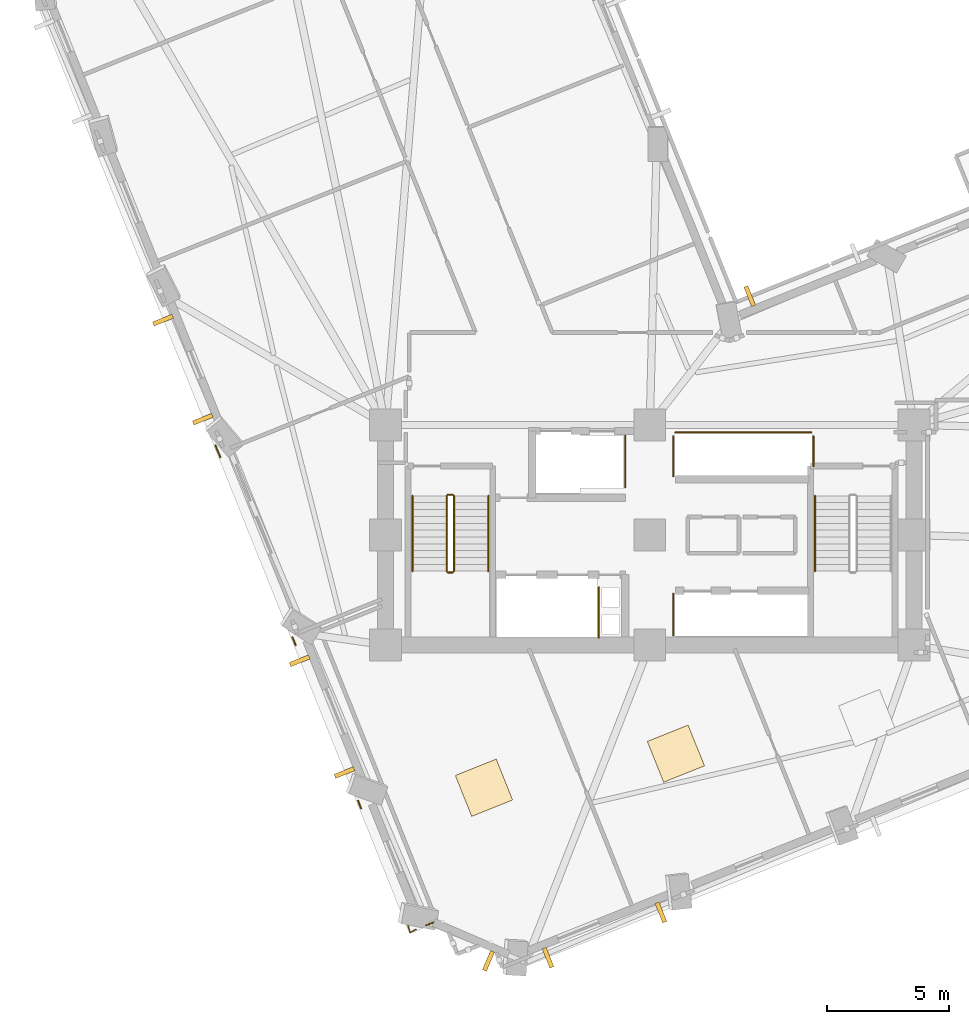
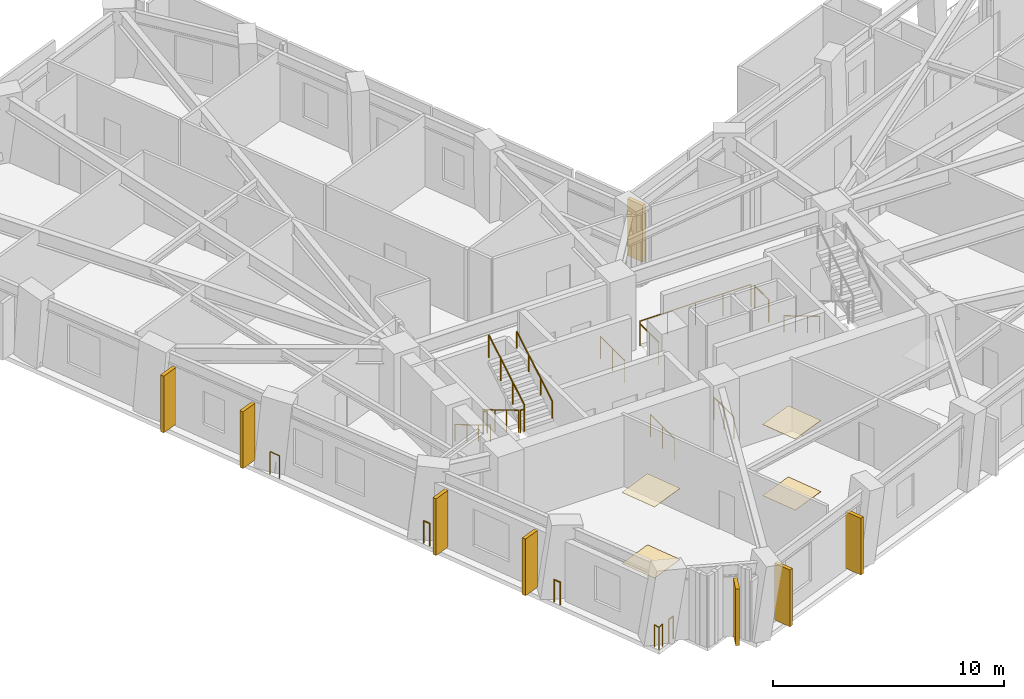
# One storey, part 13 of 16: 18 railings, 8 shading devices, 4 coverings.
"""IFC4 building model written with IfcOpenShell, lengths in metres."""

from ifc_helpers import new_model, si_unit, direction, frame, origin, origin_2d, place, context, subcontext, project, spatial, rectangle, circle, extrude, material, layer, layer_set, type_object, element, save


model = new_model("IFC4")

# Units and contexts
model_context = context("Model", 3, precision=1e-05, world=origin(), true_north=direction((0.0, 1.0)))
body_context = subcontext(model_context, "Body", "Model", "MODEL_VIEW")
ifc_project = project(units=[si_unit("LENGTHUNIT", "METRE"), si_unit("AREAUNIT", "SQUARE_METRE"), si_unit("VOLUMEUNIT", "CUBIC_METRE"), si_unit("PLANEANGLEUNIT", "RADIAN"), si_unit("MASSUNIT", "GRAM", prefix="KILO")], contexts=[model_context])

# Site, building, storey
site_placement = place(None, origin())
site = spatial("IfcSite", under=ifc_project, at=site_placement, CompositionType="ELEMENT")
building_placement = place(site_placement, origin())
building = spatial("IfcBuilding", under=site, at=building_placement, Name="Gaonmaruhae Medical Tower", CompositionType="ELEMENT")
storey_placement = place(building_placement, frame((0.0, 0.0, 116.39990234375)))
storey = spatial("IfcBuildingStorey", under=building, at=storey_placement, Name="L27", CompositionType="ELEMENT", Elevation=116.39990234375)

# Coverings
ifc_material_1 = material(Name="Acoustic mineral ceiling tile", Category="finish")
ifc_layer_1 = layer(ifc_material_1, 0.02490234375)
ifc_layer_set_1 = layer_set([ifc_layer_1], Name="Acoustic mineral ceiling tile")
covering_type_1 = type_object("IfcCoveringType", Name="CLG-01 Antimicrobial Acoustic Mineral Ceiling", PredefinedType="CEILING", material=ifc_layer_set_1)
for number, where, z_axis, x_axis, name in (
    (1, (18.022705078125, 1.97021484375, 3.755126953125), (0.0, 0.0, 1.0), (0.928161393808, 0.372177950778, 0.0), "L27 Clinical Room Acoustic Ceiling 2"),
    (2, (25.867431640625, 3.364013671875, 3.755126953125), (0.0, 0.0, 1.0), (0.928161393808, 0.372177950778, 0.0), "L27 Clinical Room Acoustic Ceiling 3"),
):
    element("IfcCovering", number, at=place(storey_placement, frame(where, z_axis=z_axis, x_axis=x_axis)), inside=storey, type_object=covering_type_1, Name=name, PredefinedType="CEILING", context=body_context, shape_type="SweptSolid", body=[
        extrude(rectangle(XDim=1.800048828125, YDim=1.800048828125, at=origin_2d()), origin(), (0.0, 0.0, 1.0), 0.02490234375),
    ])
ifc_material_2 = material(Name="Seamless clinical vinyl flooring", Category="finish")
ifc_layer_2 = layer(ifc_material_2, 0.014892578125)
ifc_layer_set_2 = layer_set([ifc_layer_2], Name="Seamless clinical vinyl flooring")
covering_type_2 = type_object("IfcCoveringType", Name="FLR-01 Seamless Clinical Antistatic Vinyl Flooring", PredefinedType="FLOORING", material=ifc_layer_set_2)
for number, where, z_axis, x_axis, name in (
    (3, (18.022705078125, 1.97021484375, 0.0), (0.0, 0.0, 1.0), (0.928161393808, 0.372177950778, 0.0), "L27 Clinical Room Vinyl Flooring 2"),
    (4, (25.867431640625, 3.364013671875, 0.0), (0.0, 0.0, 1.0), (0.928161393808, 0.372177950778, 0.0), "L27 Clinical Room Vinyl Flooring 3"),
):
    element("IfcCovering", number, at=place(storey_placement, frame(where, z_axis=z_axis, x_axis=x_axis)), inside=storey, type_object=covering_type_2, Name=name, PredefinedType="FLOORING", context=body_context, shape_type="SweptSolid", body=[
        extrude(rectangle(XDim=1.800048828125, YDim=1.800048828125, at=origin_2d()), origin(), (0.0, 0.0, 1.0), 0.014892578125),
    ])

# Railings
ifc_material_3 = material(Name="Stainless steel 316L and laminated safety glass", Category="steel")
ifc_layer_3 = layer(ifc_material_3, 0.080078125)
ifc_layer_set_3 = layer_set([ifc_layer_3], Name="Stainless steel 316L and laminated safety glass")
railing_type_1 = type_object("IfcRailingType", Name="GD-120 Outdoor Terrace Safety Glass & Steel Balustrade", PredefinedType="BALUSTRADE", material=ifc_layer_set_3)
railing_1_placement = place(storey_placement, frame((15.956787109375, -3.53173828125, 0.0)))
element("IfcRailing", 5, at=railing_1_placement, inside=storey, type_object=railing_type_1, Name="L27 Perimeter Slab Edge Safety Balustrade 04", PredefinedType="BALUSTRADE", context=body_context, shape_type="SweptSolid", body=[
    extrude(circle(Radius=0.02392578125, at=origin_2d()), frame((0.0, 0.0, 1.17578125), z_axis=(-0.928063519164, -0.372421944032, 0.0), x_axis=(0.372421944032, -0.928063519164, 0.0)), (0.0, 0.0, 1.0), 0.326416015625),
    extrude(circle(Radius=0.02099609375, at=origin_2d()), origin(), (0.0, 0.0, 1.0), 1.15185546875),
    extrude(circle(Radius=0.02099609375, at=origin_2d()), frame((-0.302978515625, -0.12158203125, 0.0)), (0.0, 0.0, 1.0), 1.15185546875),
])
for number, where, name in (
    (6, (13.00048828125, 1.12744140625, 0.0), "L27 Perimeter Slab Edge Safety Balustrade 05"),
    (7, (10.323486328125, 7.803955078125, 0.0), "L27 Perimeter Slab Edge Safety Balustrade 06"),
):
    element("IfcRailing", number, at=place(storey_placement, frame(where)), inside=storey, type_object=railing_type_1, Name=name, PredefinedType="BALUSTRADE", context=body_context, shape_type="SweptSolid", body=[
        extrude(circle(Radius=0.02392578125, at=origin_2d()), frame((0.0, 0.0, 1.17578125), z_axis=(-0.372133734858, 0.928179122465, 0.0), x_axis=(-0.928179122465, -0.372133734858, 0.0)), (0.0, 0.0, 1.0), 0.33984375),
        extrude(circle(Radius=0.02099609375, at=origin_2d()), origin(), (0.0, 0.0, 1.0), 1.15185546875),
        extrude(circle(Radius=0.02099609375, at=origin_2d()), frame((-0.12646484375, 0.3154296875, 0.0)), (0.0, 0.0, 1.0), 1.15185546875),
    ])
railing_2_placement = place(storey_placement, frame((7.24462890625, 15.48193359375, 0.0)))
element("IfcRailing", 8, at=railing_2_placement, inside=storey, type_object=railing_type_1, Name="L27 Perimeter Slab Edge Safety Balustrade 07", PredefinedType="BALUSTRADE", context=body_context, shape_type="SweptSolid", body=[
    extrude(circle(Radius=0.02392578125, at=origin_2d()), frame((0.0, 0.0, 1.17578125), z_axis=(-0.372038510883, 0.928217294829, 0.0), x_axis=(-0.928217294829, -0.372038510883, 0.0)), (0.0, 0.0, 1.0), 0.519775390625),
    extrude(circle(Radius=0.02099609375, at=origin_2d()), origin(), (0.0, 0.0, 1.0), 1.15185546875),
    extrude(circle(Radius=0.02099609375, at=origin_2d()), frame((-0.193359375, 0.482421875, 0.0)), (0.0, 0.0, 1.0), 1.15185546875),
])
railing_3_placement = place(storey_placement, frame((15.251708984375, -3.814453125, 0.0)))
element("IfcRailing", 9, at=railing_3_placement, inside=storey, type_object=railing_type_1, Name="L27 Perimeter Corner Safety Balustrade 10", PredefinedType="BALUSTRADE", context=body_context, shape_type="SweptSolid", body=[
    extrude(circle(Radius=0.02392578125, at=origin_2d()), frame((0.0, 0.0, 1.17578125), z_axis=(-0.875874895561, -0.48253825478, 0.0), x_axis=(0.48253825478, -0.875874895561, 0.0)), (0.0, 0.0, 1.0), 0.287353515625),
    extrude(circle(Radius=0.02392578125, at=origin_2d()), frame((-0.251708984375, -0.138671875, 1.17578125), z_axis=(-0.255915929237, 0.966699041669, 0.0), x_axis=(-0.966699041669, -0.255915929237, 0.0)), (0.0, 0.0, 1.0), 0.287109375),
    extrude(circle(Radius=0.02099609375, at=origin_2d()), origin(), (0.0, 0.0, 1.0), 1.15185546875),
    extrude(circle(Radius=0.02099609375, at=origin_2d()), frame((-0.251708984375, -0.138671875, 0.0)), (0.0, 0.0, 1.0), 1.15185546875),
    extrude(circle(Radius=0.02099609375, at=origin_2d()), frame((-0.3251953125, 0.138916015625, 0.0)), (0.0, 0.0, 1.0), 1.15185546875),
])
ifc_material_4 = material(Name="Stainless steel 304 handrail", Category="steel")
railing_type_2 = type_object("IfcRailingType", Name="HR-092 Continuous Stainless Steel Stair Handrail", PredefinedType="HANDRAIL", material=ifc_material_4)
railing_4_placement = place(storey_placement, frame((15.10009765625, 13.89990234375, 0.166748046875)))
element("IfcRailing", 10, at=railing_4_placement, inside=storey, type_object=railing_type_2, Name="L27 ST-01 stair handrail 1", PredefinedType="HANDRAIL", context=body_context, shape_type="SweptSolid", body=[
    extrude(circle(Radius=0.02392578125, at=origin_2d()), frame((0.0, 0.0, 0.8759765625), z_axis=(0.0, -0.859290745958, 0.51148745235), x_axis=(1.0, 0.0, 0.0)), (0.0, 0.0, 1.0), 3.584228515625),
    extrude(circle(Radius=0.02099609375, at=origin_2d()), origin(), (0.0, 0.0, 1.0), 0.851806640625),
    extrude(circle(Radius=0.02099609375, at=origin_2d()), frame((0.0, -1.026611328125, 0.611083984375)), (0.0, 0.0, 1.0), 0.851806640625),
    extrude(circle(Radius=0.02099609375, at=origin_2d()), frame((0.0, -2.05322265625, 1.22216796875)), (0.0, 0.0, 1.0), 0.851806640625),
    extrude(circle(Radius=0.02099609375, at=origin_2d()), frame((0.0, -3.079833984375, 1.833251953125)), (0.0, 0.0, 1.0), 0.851806640625),
])
railing_5_placement = place(storey_placement, frame((18.199951171875, 10.820068359375, 2.166748046875)))
element("IfcRailing", 11, at=railing_5_placement, inside=storey, type_object=railing_type_2, Name="L27 ST-01 stair handrail 2", PredefinedType="HANDRAIL", context=body_context, shape_type="SweptSolid", body=[
    extrude(circle(Radius=0.02392578125, at=origin_2d()), frame((0.0, 0.0, 0.8759765625), z_axis=(0.0, 0.859290745958, 0.51148745235), x_axis=(-1.0, 0.0, 0.0)), (0.0, 0.0, 1.0), 3.584228515625),
    extrude(circle(Radius=0.02099609375, at=origin_2d()), origin(), (0.0, 0.0, 1.0), 0.851806640625),
    extrude(circle(Radius=0.02099609375, at=origin_2d()), frame((0.0, 1.026611328125, 0.611083984375)), (0.0, 0.0, 1.0), 0.851806640625),
    extrude(circle(Radius=0.02099609375, at=origin_2d()), frame((0.0, 2.05322265625, 1.22216796875)), (0.0, 0.0, 1.0), 0.851806640625),
    extrude(circle(Radius=0.02099609375, at=origin_2d()), frame((0.0, 3.079833984375, 1.833251953125)), (0.0, 0.0, 1.0), 0.851806640625),
])
railing_6_placement = place(storey_placement, frame((31.550048828125, 13.89990234375, 0.166748046875)))
element("IfcRailing", 12, at=railing_6_placement, inside=storey, type_object=railing_type_2, Name="L27 ST-02 stair handrail 1", PredefinedType="HANDRAIL", context=body_context, shape_type="SweptSolid", body=[
    extrude(circle(Radius=0.02392578125, at=origin_2d()), frame((0.0, 0.0, 0.8759765625), z_axis=(0.0, -0.859290745958, 0.51148745235), x_axis=(1.0, 0.0, 0.0)), (0.0, 0.0, 1.0), 3.584228515625),
    extrude(circle(Radius=0.02099609375, at=origin_2d()), origin(), (0.0, 0.0, 1.0), 0.851806640625),
    extrude(circle(Radius=0.02099609375, at=origin_2d()), frame((0.0, -1.026611328125, 0.611083984375)), (0.0, 0.0, 1.0), 0.851806640625),
    extrude(circle(Radius=0.02099609375, at=origin_2d()), frame((0.0, -2.05322265625, 1.22216796875)), (0.0, 0.0, 1.0), 0.851806640625),
    extrude(circle(Radius=0.02099609375, at=origin_2d()), frame((0.0, -3.079833984375, 1.833251953125)), (0.0, 0.0, 1.0), 0.851806640625),
])

# Shading devices
ifc_material_5 = material(Name="Pigmented coral precast concrete C45/55", Category="concrete")
shading_device_type = type_object("IfcShadingDeviceType", Name="SD-FIN1 Tower Vertical Coral Precast Shading Fin", PredefinedType="USERDEFINED", material=ifc_material_5)
for number, where, z_axis, x_axis, name in (
    (13, (25.25439453125, -3.127197265625, 0.08251953125), (0.0, 0.0, 1.0), (-0.928154897936, -0.372194150193, 0.0), "L27 Vertical Coral Precast Shading Fin S01"),
    (14, (20.641357421875, -4.97705078125, 0.08251953125), (0.0, 0.0, 1.0), (-0.928154897936, -0.372194150193, 0.0), "L27 Vertical Coral Precast Shading Fin S01B"),
    (15, (28.884521484375, 22.0634765625, 0.08251953125), (0.0, 0.0, 1.0), (0.928161393808, 0.372177950778, 0.0), "L27 Vertical Coral Precast Shading Fin EN03"),
    (16, (6.530029296875, 17.03564453125, 0.08251953125), (0.0, 0.0, 1.0), (-0.372194150193, 0.928154897936, 0.0), "L27 Vertical Coral Precast Shading Fin W03"),
    (17, (4.906494140625, 21.08447265625, 0.08251953125), (0.0, 0.0, 1.0), (-0.372194150193, 0.928154897936, 0.0), "L27 Vertical Coral Precast Shading Fin W03B"),
    (18, (12.322021484375, 2.591552734375, 0.08251953125), (0.0, 0.0, 1.0), (-0.372177950778, 0.928161393808, 0.0), "L27 Vertical Coral Precast Shading Fin W05"),
    (19, (10.489501953125, 7.161376953125, 0.08251953125), (0.0, 0.0, 1.0), (-0.372177950778, 0.928161393808, 0.0), "L27 Vertical Coral Precast Shading Fin W05B"),
    (20, (18.20947265625, -5.109130859375, 0.08251953125), (0.0, 0.0, 1.0), (-0.919485629842, 0.393123614802, 0.0), "L27 Vertical Coral Precast Shading Fin W07"),
):
    element("IfcShadingDevice", number, at=place(storey_placement, frame(where, z_axis=z_axis, x_axis=x_axis)), inside=storey, type_object=shading_device_type, Name=name, ObjectType="FIN", PredefinedType="USERDEFINED", context=body_context, shape_type="SweptSolid", body=[
        extrude(rectangle(XDim=0.179931640625, YDim=0.85009765625, at=origin_2d()), origin(), (0.0, 0.0, 1.0), 3.0),
    ])

# Railings
ifc_material_6 = material(Name="Stainless steel 304 balustrade", Category="steel")
railing_type_3 = type_object("IfcRailingType", Name="SG-112 Stair Well & Ramp Void Safety Balustrade", PredefinedType="BALUSTRADE", material=ifc_material_6)
railing_7_placement = place(storey_placement, frame((16.5, 13.89990234375, 0.166748046875)))
element("IfcRailing", 21, at=railing_7_placement, inside=storey, type_object=railing_type_3, Name="L27 ST-01 stair guard 1", PredefinedType="BALUSTRADE", context=body_context, shape_type="SweptSolid", body=[
    extrude(circle(Radius=0.02392578125, at=origin_2d()), frame((0.0, 0.0, 1.17578125), z_axis=(0.0, -0.859290745958, 0.51148745235), x_axis=(1.0, 0.0, 0.0)), (0.0, 0.0, 1.0), 3.584228515625),
    extrude(circle(Radius=0.02099609375, at=origin_2d()), origin(), (0.0, 0.0, 1.0), 1.15185546875),
    extrude(circle(Radius=0.02099609375, at=origin_2d()), frame((0.0, -1.026611328125, 0.611083984375)), (0.0, 0.0, 1.0), 1.15185546875),
    extrude(circle(Radius=0.02099609375, at=origin_2d()), frame((0.0, -2.05322265625, 1.22216796875)), (0.0, 0.0, 1.0), 1.15185546875),
    extrude(circle(Radius=0.02099609375, at=origin_2d()), frame((0.0, -3.079833984375, 1.833251953125)), (0.0, 0.0, 1.0), 1.15185546875),
])
railing_8_placement = place(storey_placement, frame((16.550048828125, 10.77001953125, 2.0)))
element("IfcRailing", 22, at=railing_8_placement, inside=storey, type_object=railing_type_3, Name="L27 ST-01 stair guard 2", PredefinedType="BALUSTRADE", context=body_context, shape_type="SweptSolid", body=[
    extrude(circle(Radius=0.02392578125, at=origin_2d()), frame((0.0, 0.0, 1.17578125), z_axis=(1.0, 0.0, 0.0), x_axis=(0.0, 1.0, 0.0)), (0.0, 0.0, 1.0), 0.199951171875),
    extrude(circle(Radius=0.02099609375, at=origin_2d()), origin(), (0.0, 0.0, 1.0), 1.15185546875),
    extrude(circle(Radius=0.02099609375, at=origin_2d()), frame((0.199951171875, 0.0, 0.0)), (0.0, 0.0, 1.0), 1.15185546875),
])
railing_9_placement = place(storey_placement, frame((16.800048828125, 10.820068359375, 2.166748046875)))
element("IfcRailing", 23, at=railing_9_placement, inside=storey, type_object=railing_type_3, Name="L27 ST-01 stair guard 3", PredefinedType="BALUSTRADE", context=body_context, shape_type="SweptSolid", body=[
    extrude(circle(Radius=0.02392578125, at=origin_2d()), frame((0.0, 0.0, 1.17578125), z_axis=(0.0, 0.859290745958, 0.51148745235), x_axis=(-1.0, 0.0, 0.0)), (0.0, 0.0, 1.0), 3.584228515625),
    extrude(circle(Radius=0.02099609375, at=origin_2d()), origin(), (0.0, 0.0, 1.0), 1.15185546875),
    extrude(circle(Radius=0.02099609375, at=origin_2d()), frame((0.0, 1.026611328125, 0.611083984375)), (0.0, 0.0, 1.0), 1.15185546875),
    extrude(circle(Radius=0.02099609375, at=origin_2d()), frame((0.0, 2.05322265625, 1.22216796875)), (0.0, 0.0, 1.0), 1.15185546875),
    extrude(circle(Radius=0.02099609375, at=origin_2d()), frame((0.0, 3.079833984375, 1.833251953125)), (0.0, 0.0, 1.0), 1.15185546875),
])
railing_10_placement = place(storey_placement, frame((16.550048828125, 13.949951171875, 0.0)))
element("IfcRailing", 24, at=railing_10_placement, inside=storey, type_object=railing_type_3, Name="L27 ST-01 stair guard 4", PredefinedType="BALUSTRADE", context=body_context, shape_type="SweptSolid", body=[
    extrude(circle(Radius=0.02392578125, at=origin_2d()), frame((0.0, 0.0, 1.17578125), z_axis=(1.0, 0.0, 0.0), x_axis=(0.0, 1.0, 0.0)), (0.0, 0.0, 1.0), 0.199951171875),
    extrude(circle(Radius=0.02099609375, at=origin_2d()), origin(), (0.0, 0.0, 1.0), 1.15185546875),
    extrude(circle(Radius=0.02099609375, at=origin_2d()), frame((0.199951171875, 0.0, 0.0)), (0.0, 0.0, 1.0), 1.15185546875),
])
railing_11_placement = place(storey_placement, frame((25.7548828125, 8.195068359375, 0.0)))
element("IfcRailing", 25, at=railing_11_placement, inside=storey, type_object=railing_type_3, Name="L27 Shaft Edge Safety Guard 12", PredefinedType="BALUSTRADE", context=body_context, shape_type="SweptSolid", body=[
    extrude(circle(Radius=0.02392578125, at=origin_2d()), frame((0.0, 0.0, 1.17578125), z_axis=(0.0, 1.0, 0.0), x_axis=(-1.0, 0.0, 0.0)), (0.0, 0.0, 1.0), 1.7099609375),
    extrude(circle(Radius=0.02099609375, at=origin_2d()), origin(), (0.0, 0.0, 1.0), 1.15185546875),
    extrude(circle(Radius=0.02099609375, at=origin_2d()), frame((0.0, 0.85498046875, 0.0)), (0.0, 0.0, 1.0), 1.15185546875),
    extrude(circle(Radius=0.02099609375, at=origin_2d()), frame((0.0, 1.7099609375, 0.0)), (0.0, 0.0, 1.0), 1.15185546875),
])
railing_12_placement = place(storey_placement, frame((22.719970703125, 10.159912109375, 0.0)))
element("IfcRailing", 26, at=railing_12_placement, inside=storey, type_object=railing_type_3, Name="L27 Shaft Edge Safety Guard 13", PredefinedType="BALUSTRADE", context=body_context, shape_type="SweptSolid", body=[
    extrude(circle(Radius=0.02392578125, at=origin_2d()), frame((0.0, 0.0, 1.17578125), z_axis=(0.0, -1.0, 0.0), x_axis=(1.0, 0.0, 0.0)), (0.0, 0.0, 1.0), 2.06494140625),
    extrude(circle(Radius=0.02099609375, at=origin_2d()), origin(), (0.0, 0.0, 1.0), 1.15185546875),
    extrude(circle(Radius=0.02099609375, at=origin_2d()), frame((0.0, -1.032470703125, 0.0)), (0.0, 0.0, 1.0), 1.15185546875),
    extrude(circle(Radius=0.02099609375, at=origin_2d()), frame((0.0, -2.06494140625, 0.0)), (0.0, 0.0, 1.0), 1.15185546875),
])
railing_13_placement = place(storey_placement, frame((23.794921875, 16.35498046875, 0.0)))
element("IfcRailing", 27, at=railing_13_placement, inside=storey, type_object=railing_type_3, Name="L27 Shaft Edge Safety Guard 14", PredefinedType="BALUSTRADE", context=body_context, shape_type="SweptSolid", body=[
    extrude(circle(Radius=0.02392578125, at=origin_2d()), frame((0.0, 0.0, 1.17578125), z_axis=(0.0, -1.0, 0.0), x_axis=(1.0, 0.0, 0.0)), (0.0, 0.0, 1.0), 2.10986328125),
    extrude(circle(Radius=0.02099609375, at=origin_2d()), origin(), (0.0, 0.0, 1.0), 1.15185546875),
    extrude(circle(Radius=0.02099609375, at=origin_2d()), frame((0.0, -1.054931640625, 0.0)), (0.0, 0.0, 1.0), 1.15185546875),
    extrude(circle(Radius=0.02099609375, at=origin_2d()), frame((0.0, -2.10986328125, 0.0)), (0.0, 0.0, 1.0), 1.15185546875),
])
railing_14_placement = place(storey_placement, frame((25.844970703125, 16.4951171875, 0.0)))
element("IfcRailing", 28, at=railing_14_placement, inside=storey, type_object=railing_type_3, Name="L27 Shaft Edge Safety Guard 15", PredefinedType="BALUSTRADE", context=body_context, shape_type="SweptSolid", body=[
    extrude(circle(Radius=0.02392578125, at=origin_2d()), frame((0.0, 0.0, 1.17578125), z_axis=(1.0, 0.0, 0.0), x_axis=(0.0, 1.0, 0.0)), (0.0, 0.0, 1.0), 5.56005859375),
    extrude(circle(Radius=0.02099609375, at=origin_2d()), origin(), (0.0, 0.0, 1.0), 1.15185546875),
    extrude(circle(Radius=0.02099609375, at=origin_2d()), frame((1.39013671875, 0.0, 0.0)), (0.0, 0.0, 1.0), 1.15185546875),
    extrude(circle(Radius=0.02099609375, at=origin_2d()), frame((2.780029296875, 0.0, 0.0)), (0.0, 0.0, 1.0), 1.15185546875),
    extrude(circle(Radius=0.02099609375, at=origin_2d()), frame((4.169921875, 0.0, 0.0)), (0.0, 0.0, 1.0), 1.15185546875),
    extrude(circle(Radius=0.02099609375, at=origin_2d()), frame((5.56005859375, 0.0, 0.0)), (0.0, 0.0, 1.0), 1.15185546875),
])
railing_15_placement = place(storey_placement, frame((31.4951171875, 16.330078125, 0.0)))
element("IfcRailing", 29, at=railing_15_placement, inside=storey, type_object=railing_type_3, Name="L27 Shaft Edge Safety Guard 16", PredefinedType="BALUSTRADE", context=body_context, shape_type="SweptSolid", body=[
    extrude(circle(Radius=0.02392578125, at=origin_2d()), frame((0.0, 0.0, 1.17578125), z_axis=(0.0, -1.0, 0.0), x_axis=(1.0, 0.0, 0.0)), (0.0, 0.0, 1.0), 1.2099609375),
    extrude(circle(Radius=0.02099609375, at=origin_2d()), origin(), (0.0, 0.0, 1.0), 1.15185546875),
    extrude(circle(Radius=0.02099609375, at=origin_2d()), frame((0.0, -1.2099609375, 0.0)), (0.0, 0.0, 1.0), 1.15185546875),
])
railing_16_placement = place(storey_placement, frame((25.7548828125, 14.695068359375, 0.0)))
element("IfcRailing", 30, at=railing_16_placement, inside=storey, type_object=railing_type_3, Name="L27 Shaft Edge Safety Guard 17", PredefinedType="BALUSTRADE", context=body_context, shape_type="SweptSolid", body=[
    extrude(circle(Radius=0.02392578125, at=origin_2d()), frame((0.0, 0.0, 1.17578125), z_axis=(0.0, 1.0, 0.0), x_axis=(-1.0, 0.0, 0.0)), (0.0, 0.0, 1.0), 1.635009765625),
    extrude(circle(Radius=0.02099609375, at=origin_2d()), origin(), (0.0, 0.0, 1.0), 1.15185546875),
    extrude(circle(Radius=0.02099609375, at=origin_2d()), frame((0.0, 0.8173828125, 0.0)), (0.0, 0.0, 1.0), 1.15185546875),
    extrude(circle(Radius=0.02099609375, at=origin_2d()), frame((0.0, 1.635009765625, 0.0)), (0.0, 0.0, 1.0), 1.15185546875),
])

save(model, "model.ifc")
